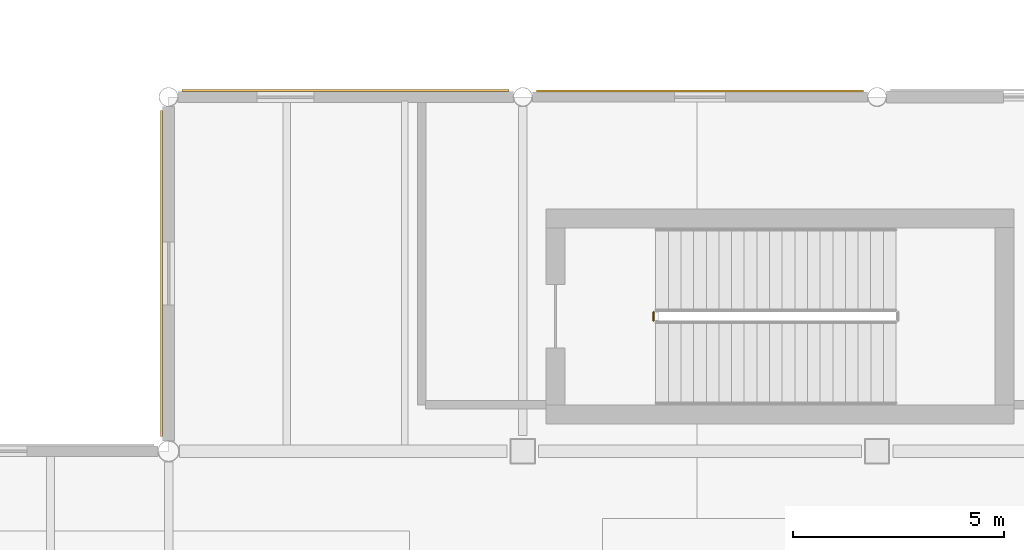
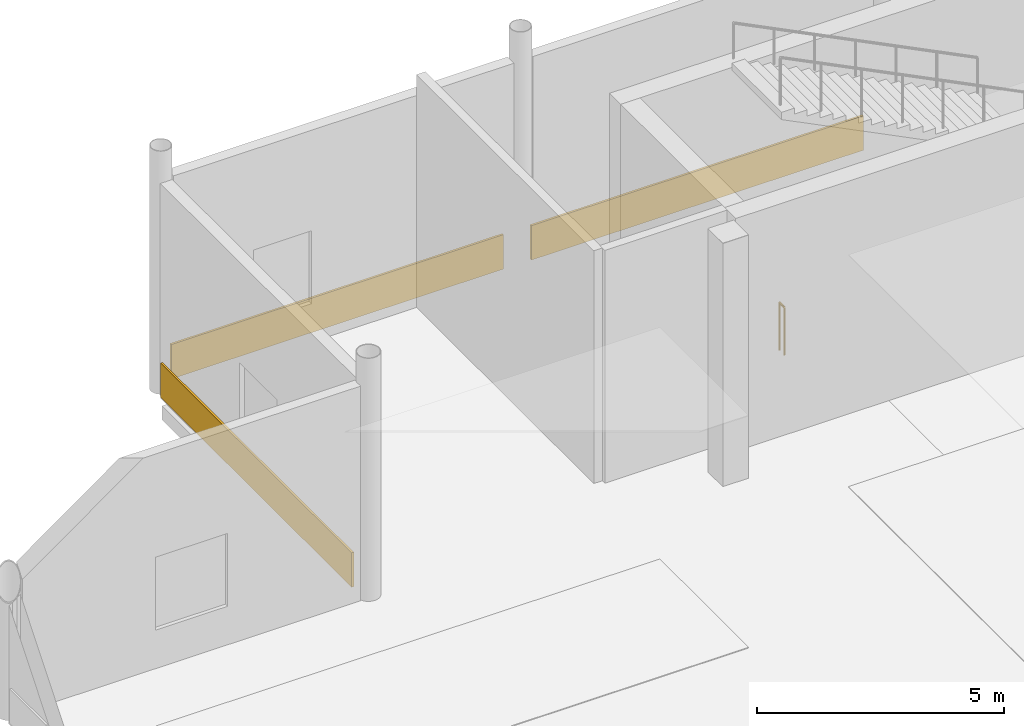
# One storey, part 74 of 85: 3 coverings, 1 railing.
"""IFC4 building model written with IfcOpenShell, lengths in metres."""

from ifc_helpers import new_model, si_unit, direction, frame, origin, origin_2d, place, context, subcontext, project, spatial, rectangle, circle, extrude, material, layer, layer_set, type_object, element, save


model = new_model("IFC4")

# Units and contexts
model_context = context("Model", 3, precision=1e-05, world=origin(), true_north=direction((0.0, 1.0)))
body_context = subcontext(model_context, "Body", "Model", "MODEL_VIEW")
ifc_project = project(units=[si_unit("LENGTHUNIT", "METRE"), si_unit("AREAUNIT", "SQUARE_METRE"), si_unit("VOLUMEUNIT", "CUBIC_METRE"), si_unit("PLANEANGLEUNIT", "RADIAN"), si_unit("MASSUNIT", "GRAM", prefix="KILO"), si_unit("THERMODYNAMICTEMPERATUREUNIT", "KELVIN")], contexts=[model_context])

# Site, building, storey
site_placement = place(None, origin())
site = spatial("IfcSite", under=ifc_project, at=site_placement, CompositionType="ELEMENT")
building_placement = place(site_placement, origin())
building = spatial("IfcBuilding", under=site, at=building_placement, Name="Lustrewick Department Store", CompositionType="ELEMENT")
storey_placement = place(building_placement, origin())
storey = spatial("IfcBuildingStorey", under=building, at=storey_placement, Name="L01", CompositionType="ELEMENT", Elevation=0.0)

# Coverings
ifc_material_1 = material(Name="Rusticated Fangshan cream limestone", Category="masonry")
ifc_layer = layer(ifc_material_1, 0.050048828125, Name="Rusticated Fangshan cream limestone")
ifc_layer_set = layer_set([ifc_layer], Name="Rusticated Fangshan cream limestone")
covering_type = type_object("IfcCoveringType", Name="CLD-LIME", PredefinedType="CLADDING", material=ifc_layer_set)
for number, where, z_axis, x_axis, name in (
    (1, (29.39990234375, 92.544921875, 0.02490234375), (0.0, 0.0, 1.0), (-1.0, 0.0, 0.0), "L01 Limestone Plinth Band 013"),
    (2, (21.0, 92.554931640625, 0.02490234375), (0.0, 0.0, 1.0), (-1.0, 0.0, 0.0), "L01 Limestone Plinth Band 014"),
):
    element("IfcCovering", number, at=place(storey_placement, frame(where, z_axis=z_axis, x_axis=x_axis)), inside=storey, type_object=covering_type, Name=name, PredefinedType="CLADDING", context=body_context, shape_type="SweptSolid", body=[
        extrude(rectangle(XDim=7.7529296875, YDim=0.050048828125, at=origin_2d()), origin(), (0.0, 0.0, 1.0), 0.85009765625),
    ])
covering_placement = place(storey_placement, frame((16.635009765625, 88.212646484375, 0.02490234375), z_axis=(0.0, 0.0, 1.0), x_axis=(0.0, -1.0, 0.0)))
element("IfcCovering", 3, at=covering_placement, inside=storey, type_object=covering_type, Name="L01 Limestone Plinth Band 015", PredefinedType="CLADDING", context=body_context, shape_type="SweptSolid", body=[
    extrude(rectangle(XDim=7.7275390625, YDim=0.050048828125, at=origin_2d()), origin(), (0.0, 0.0, 1.0), 0.85009765625),
])

# Railing
ifc_material_2 = material(Name="Painted tubular steel stairwell guardrail", Category="steel")
railing_type = type_object("IfcRailingType", Name="RL-STG", PredefinedType="GUARDRAIL", material=ifc_material_2)
railing_placement = place(storey_placement, frame((28.300048828125, 87.10009765625, 0.0)))
element("IfcRailing", 4, at=railing_placement, inside=storey, type_object=railing_type, Name="L01 ST03 Stair Guard 4", PredefinedType="GUARDRAIL", context=body_context, shape_type="SweptSolid", body=[
    extrude(circle(Radius=0.02392578125, at=origin_2d()), frame((0.0, 0.0, 1.17578125), z_axis=(0.0, 1.0, 0.0), x_axis=(-1.0, 0.0, 0.0)), (0.0, 0.0, 1.0), 0.199951171875),
    extrude(circle(Radius=0.02099609375, at=origin_2d()), origin(), (0.0, 0.0, 1.0), 1.15185546875),
    extrude(circle(Radius=0.02099609375, at=origin_2d()), frame((0.0, 0.199951171875, 0.0)), (0.0, 0.0, 1.0), 1.15185546875),
])

save(model, "model.ifc")
